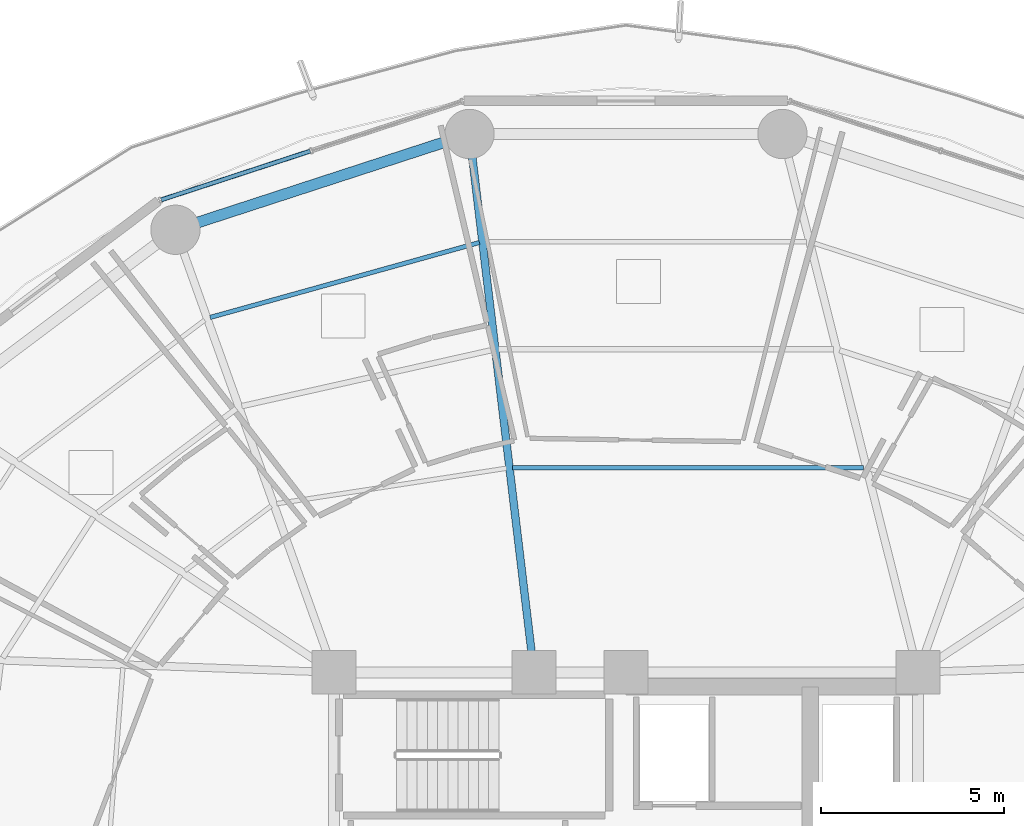
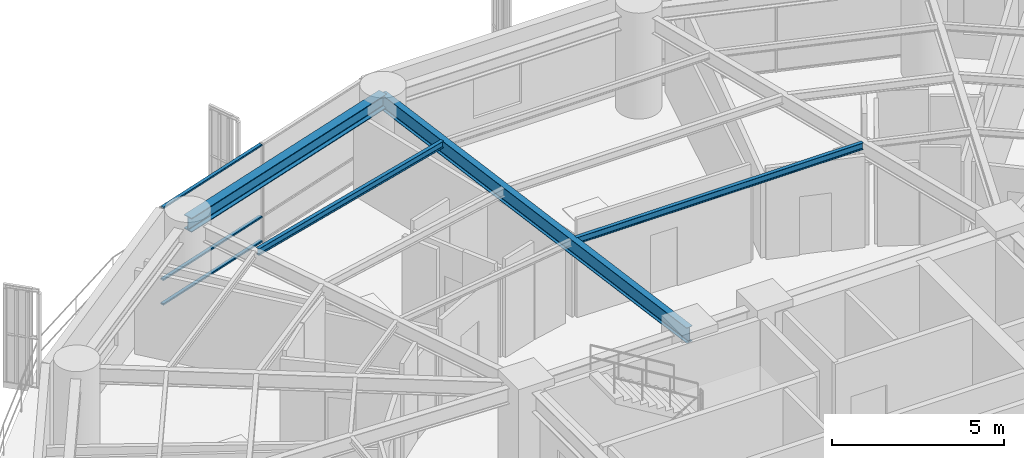
# One storey, part 21 of 38: 4 beams, 3 members, 1 element without a shape of its own.
"""IFC4 building model written with IfcOpenShell, lengths in metres."""

import ifcopenshell
import ifcopenshell.guid

model = None  # the IFC model being written
_history = None  # IfcOwnerHistory: only IFC2X3 demands one
_inside = {}  # id of a spatial element -> (the spatial element, [elements in it])
_under = {}  # id of a project, library or spatial element -> (it, [spatial elements below it])
_declared = {}  # id of a project -> (the project, [libraries it declares])
_typed = {}  # id of a type object -> (the type object, [elements of that type])
_made_of = {}  # id of a material, layer set ... -> (it, [elements and type objects made of it])


def new_model(schema):
    """Start an empty IFC model of exactly this schema.

    Asked for "IFC4X3", IfcOpenShell would pick the latest addendum, in which some entities
    have other attributes; the version numbers below select the first issue.
    IFC2X3 requires an IfcOwnerHistory on every rooted entity: one is made here for all.
    """
    global model, _history
    if schema == "IFC4X3":
        model = ifcopenshell.file(schema_version=(4, 3, 0, 0))
    else:
        model = ifcopenshell.file(schema=schema)
    _inside.clear()
    _under.clear()
    _declared.clear()
    _typed.clear()
    _made_of.clear()
    _history = None
    if model.schema == "IFC2X3":
        org = make("IfcOrganization", Name="unknown")
        user = make(
            "IfcPersonAndOrganization",
            ThePerson=make("IfcPerson", FamilyName="unknown"),
            TheOrganization=org,
        )
        app = make(
            "IfcApplication",
            ApplicationDeveloper=org,
            Version="unknown",
            ApplicationFullName="unknown",
            ApplicationIdentifier="unknown",
        )
        _history = make(
            "IfcOwnerHistory",
            OwningUser=user,
            OwningApplication=app,
            ChangeAction="ADDED",
            CreationDate=0,
        )
    return model


def make(cls, **values):
    """One entity of the class cls with the attributes given. An attribute that is None is left unset."""
    return model.create_entity(
        cls, **{name: value for name, value in values.items() if value is not None}
    )


def rooted(cls, **values):
    """An entity with a GlobalId (a new one), such as an element, a storey or a relation."""
    return make(cls, GlobalId=ifcopenshell.guid.new(), OwnerHistory=_history, **values)


def si_unit(unit_type, name, prefix=None):
    """IfcSIUnit, for example si_unit("LENGTHUNIT", "METRE", prefix="MILLI")."""
    return make("IfcSIUnit", UnitType=unit_type, Prefix=prefix, Name=name)


def assignment(units):
    """IfcUnitAssignment: the units of a project."""
    return None if units is None else make("IfcUnitAssignment", Units=units)


def point(xyz):
    """IfcCartesianPoint."""
    return None if xyz is None else make("IfcCartesianPoint", Coordinates=xyz)


def direction(xyz):
    """IfcDirection."""
    return None if xyz is None else make("IfcDirection", DirectionRatios=xyz)


def frame(location, z_axis=None, x_axis=None):
    """IfcAxis2Placement3D, a coordinate frame: its origin and axes. An axis left out is left unset."""
    return make(
        "IfcAxis2Placement3D",
        Location=point(location),
        Axis=direction(z_axis),
        RefDirection=direction(x_axis),
    )


def frame_2d(location, x_axis=None):
    """IfcAxis2Placement2D, a coordinate frame in the plane: its origin and x axis."""
    return make(
        "IfcAxis2Placement2D", Location=point(location), RefDirection=direction(x_axis)
    )


def origin():
    """The frame at (0, 0, 0) with its axes left unset."""
    return frame((0.0, 0.0, 0.0))


def origin_2d():
    """The frame at (0, 0) in the plane with its x axis left unset."""
    return frame_2d((0.0, 0.0))


def place(relative_to, where):
    """IfcLocalPlacement: puts the frame where relative to a parent placement (None: the world)."""
    return make(
        "IfcLocalPlacement", PlacementRelTo=relative_to, RelativePlacement=where
    )


def context(
    kind, dimensions, precision=None, world=None, true_north=None, identifier=None
):
    """IfcGeometricRepresentationContext, for example the 3D "Model" context."""
    return make(
        "IfcGeometricRepresentationContext",
        ContextIdentifier=identifier,
        ContextType=kind,
        CoordinateSpaceDimension=dimensions,
        Precision=precision,
        WorldCoordinateSystem=world,
        TrueNorth=true_north,
    )


def subcontext(parent, identifier, kind, view, scale=None):
    """IfcGeometricRepresentationSubContext, for example "Body" below "Model"."""
    return make(
        "IfcGeometricRepresentationSubContext",
        ContextIdentifier=identifier,
        ContextType=kind,
        ParentContext=parent,
        TargetScale=scale,
        TargetView=view,
    )


def project(units=None, contexts=None):
    """IfcProject with its units and contexts."""
    return rooted(
        "IfcProject",
        Name="project",
        RepresentationContexts=contexts,
        UnitsInContext=assignment(units),
    )


def spatial(cls, under=None, at=None, **own):
    """A site, building, storey or space (cls), placed at a placement, below another one or the project."""
    s = rooted(cls, ObjectPlacement=at, **own)
    if under is not None:
        _under.setdefault(under.id(), (under, []))[1].append(s)
    return s


def profile(cls, at=None, kind="AREA", **sizes):
    """A parametric profile (cls). Its sizes go by their IFC names, for example OverallWidth=200.0."""
    return make(cls, ProfileType=kind, Position=at, **sizes)


def hollow_rectangle(**sizes):
    """IfcRectangleHollowProfileDef."""
    return profile("IfcRectangleHollowProfileDef", **sizes)


def i_section(**sizes):
    """IfcIShapeProfileDef."""
    return profile("IfcIShapeProfileDef", **sizes)


def extrude(swept, where, along, depth):
    """IfcExtrudedAreaSolid: the profile swept, set in the frame where, extruded along a direction by depth."""
    return make(
        "IfcExtrudedAreaSolid",
        SweptArea=swept,
        Position=where,
        ExtrudedDirection=direction(along),
        Depth=depth,
    )


def shape(context_of_items, identifier, shape_type, items):
    """IfcShapeRepresentation: the items that make up one representation, for example the "Body"."""
    return make(
        "IfcShapeRepresentation",
        ContextOfItems=context_of_items,
        RepresentationIdentifier=identifier,
        RepresentationType=shape_type,
        Items=items,
    )


def material(Name=None, Category=None):
    """IfcMaterial."""
    return make("IfcMaterial", Name=Name, Category=Category)


def layer(
    of_material, thickness, ventilated=None, Name=None, Category=None, Priority=None
):
    """IfcMaterialLayer: one layer of a wall or slab, of a material (None: an air gap)."""
    return make(
        "IfcMaterialLayer",
        Material=of_material,
        LayerThickness=thickness,
        IsVentilated=ventilated,
        Name=Name,
        Category=Category,
        Priority=Priority,
    )


def layer_set(layers, Name=None):
    """IfcMaterialLayerSet."""
    return make("IfcMaterialLayerSet", MaterialLayers=layers, LayerSetName=Name)


def material_profile(
    of_material, cross_section, Name=None, Category=None, Priority=None
):
    """IfcMaterialProfile: a cross section and its material."""
    return make(
        "IfcMaterialProfile",
        Name=Name,
        Material=of_material,
        Profile=cross_section,
        Priority=Priority,
        Category=Category,
    )


def profile_set(profiles, Name=None, composite=None):
    """IfcMaterialProfileSet."""
    return make(
        "IfcMaterialProfileSet",
        Name=Name,
        MaterialProfiles=profiles,
        CompositeProfile=composite,
    )


def made_of(thing, what):
    """Note that an element or type object is made of a material, layer set ...; save() writes the relation."""
    if what is not None:
        _made_of.setdefault(what.id(), (what, []))[1].append(thing)
    return thing


def type_object(cls, material=None, **own):
    """A type object (cls), such as IfcWallType, which elements share."""
    return made_of(rooted(cls, **own), material)


def element(
    cls,
    number,
    at=None,
    inside=None,
    cuts=None,
    type_object=None,
    material=None,
    context=None,
    identifier="Body",
    shape_type=None,
    held_by="IfcProductDefinitionShape",
    body=None,
    shapes=None,
    **own,
):
    """One element of the class cls, such as IfcWall. Its Tag is "e" and its number.

    at: its placement. inside: the storey or other place that contains it. cuts: it is an
    opening in that element (IfcRelVoidsElement). A single representation is given by context,
    identifier, shape_type and body (its items); several are given by shapes. held_by: the class
    of the entity that holds the representations. save() writes the other relations.
    """
    e = rooted(cls, Tag="e%d" % number, ObjectPlacement=at, **own)
    if body is not None:
        shapes = [shape(context, identifier, shape_type, body)]
    if shapes is not None:
        e.Representation = make(held_by, Representations=shapes)
    if inside is not None:
        _inside.setdefault(inside.id(), (inside, []))[1].append(e)
    if cuts is not None:
        rooted(
            "IfcRelVoidsElement", RelatingBuildingElement=cuts, RelatedOpeningElement=e
        )
    if type_object is not None:
        _typed.setdefault(type_object.id(), (type_object, []))[1].append(e)
    return made_of(e, material)


def aggregate(whole, parts):
    """IfcRelAggregates: a whole, such as a stair, and the parts it consists of."""
    return rooted("IfcRelAggregates", RelatingObject=whole, RelatedObjects=parts)


def save(model, path):
    """Write the relations noted so far, then the file.

    IfcRelAggregates (storeys below a building ...), IfcRelContainedInSpatialStructure (elements
    in a storey), IfcRelDefinesByType, IfcRelAssociatesMaterial and IfcRelDeclares: one each for
    every whole, place, type object, material and project.
    """
    for whole, parts in _under.values():
        aggregate(whole, parts)
    for where, things in _inside.values():
        rooted(
            "IfcRelContainedInSpatialStructure",
            RelatedElements=things,
            RelatingStructure=where,
        )
    for kind, things in _typed.values():
        rooted("IfcRelDefinesByType", RelatedObjects=things, RelatingType=kind)
    for what, things in _made_of.values():
        rooted("IfcRelAssociatesMaterial", RelatedObjects=things, RelatingMaterial=what)
    for by, libraries in _declared.values():
        rooted("IfcRelDeclares", RelatingContext=by, RelatedDefinitions=libraries)
    model.write(path)


model = new_model("IFC4")

# Units and contexts
model_context = context("Model", 3, precision=1e-05, world=origin(), true_north=direction((0.0, 1.0)))
body_context = subcontext(model_context, "Body", "Model", "MODEL_VIEW")
ifc_project = project(units=[si_unit("LENGTHUNIT", "METRE"), si_unit("AREAUNIT", "SQUARE_METRE"), si_unit("VOLUMEUNIT", "CUBIC_METRE"), si_unit("PLANEANGLEUNIT", "RADIAN"), si_unit("MASSUNIT", "GRAM", prefix="KILO")], contexts=[model_context])

# Site, building, storey
site_placement = place(None, origin())
site = spatial("IfcSite", under=ifc_project, at=site_placement, CompositionType="ELEMENT")
building_placement = place(site_placement, origin())
building = spatial("IfcBuilding", under=site, at=building_placement, Name="Kelanora Arch Commons", CompositionType="ELEMENT")
storey_placement = place(building_placement, frame((0.0, 0.0, 106.35009765625)))
storey = spatial("IfcBuildingStorey", under=building, at=storey_placement, Name="L27", CompositionType="ELEMENT", Elevation=106.35009765625)

# Beams
ifc_material_1 = material(Name="Steel S355", Category="steel")
ifc_material_profile_1 = material_profile(ifc_material_1, i_section(OverallWidth=0.1201171875, OverallDepth=0.239990234375, WebThickness=0.006103515625, FlangeThickness=0.009765625, FilletRadius=0.014892578125, at=origin_2d()), Name="IPE240")
ifc_profile_set_1 = profile_set([ifc_material_profile_1], Name="Steel S355")
beam_type_1 = type_object("IfcBeamType", Name="BM-JST-02", PredefinedType="JOIST", material=ifc_profile_set_1)
beam_1_placement = place(storey_placement, frame((80.50341796875, 70.602783203125, 3.369873046875), z_axis=(-1.0, 0.0, 0.0), x_axis=(0.0, -1.0, 0.0)))
element("IfcBeam", 1, at=beam_1_placement, inside=storey, type_object=beam_type_1, Name="Secondary Chord Joist BJA-08 L27", PredefinedType="JOIST", context=body_context, shape_type="SweptSolid", body=[
    extrude(i_section(OverallWidth=0.1201171875, OverallDepth=0.239990234375, WebThickness=0.006103515625, FlangeThickness=0.009765625, FilletRadius=0.014892578125, at=origin_2d()), origin(), (0.0, 0.0, 1.0), 9.609375),
])
beam_2_placement = place(storey_placement, frame((69.985595703125, 76.77294921875, 3.369873046875), z_axis=(-0.963385760896, -0.268119144603, 0.0), x_axis=(0.268119144603, -0.963385760896, 0.0)))
element("IfcBeam", 2, at=beam_2_placement, inside=storey, type_object=beam_type_1, Name="Secondary Chord Joist BJC-10 L27", PredefinedType="JOIST", context=body_context, shape_type="SweptSolid", body=[
    extrude(i_section(OverallWidth=0.1201171875, OverallDepth=0.239990234375, WebThickness=0.006103515625, FlangeThickness=0.009765625, FilletRadius=0.014892578125, at=origin_2d()), origin(), (0.0, 0.0, 1.0), 7.656005859375),
])
ifc_material_profile_2 = material_profile(ifc_material_1, i_section(OverallWidth=0.2099609375, OverallDepth=0.550048828125, WebThickness=0.010986328125, FlangeThickness=0.01708984375, FilletRadius=0.02392578125, at=origin_2d()), Name="IPE550")
ifc_profile_set_2 = profile_set([ifc_material_profile_2], Name="Steel S355")
beam_type_2 = type_object("IfcBeamType", Name="BM-RAD-Z2", PredefinedType="BEAM", material=ifc_profile_set_2)
beam_3_placement = place(storey_placement, frame((71.47998046875, 65.0, 3.21484375), z_axis=(-0.118897572414, 0.992906524943, 0.0), x_axis=(-0.992906524943, -0.118897572414, 0.0)))
element("IfcBeam", 3, at=beam_3_placement, inside=storey, type_object=beam_type_2, Name="Radial Floor Girder BR-10 L27", PredefinedType="BEAM", context=body_context, shape_type="SweptSolid", body=[
    extrude(i_section(OverallWidth=0.2099609375, OverallDepth=0.550048828125, WebThickness=0.010986328125, FlangeThickness=0.01708984375, FilletRadius=0.02392578125, at=origin_2d()), origin(), (0.0, 0.0, 1.0), 14.849853515625),
])
ifc_material_profile_3 = material_profile(ifc_material_1, i_section(OverallWidth=0.300048828125, OverallDepth=0.5, WebThickness=0.014404296875, FlangeThickness=0.028076171875, FilletRadius=0.027099609375, at=origin_2d()), Name="HEB500")
ifc_profile_set_3 = profile_set([ifc_material_profile_3], Name="Steel S355")
beam_type_3 = type_object("IfcBeamType", Name="BM-SPN-Z2", PredefinedType="SPANDREL", material=ifc_profile_set_3)
beam_4_placement = place(storey_placement, frame((69.71435546875, 79.74462890625, 3.239990234375), z_axis=(-0.950856631974, -0.309631499418, 0.0), x_axis=(0.309631499418, -0.950856631974, 0.0)))
element("IfcBeam", 4, at=beam_4_placement, inside=storey, type_object=beam_type_3, Name="Perimeter Spandrel Beam BS-10 L27", PredefinedType="SPANDREL", context=body_context, shape_type="SweptSolid", body=[
    extrude(i_section(OverallWidth=0.300048828125, OverallDepth=0.5, WebThickness=0.014404296875, FlangeThickness=0.028076171875, FilletRadius=0.027099609375, at=origin_2d()), origin(), (0.0, 0.0, 1.0), 8.470703125),
])

# Curtain wall, members
ifc_material_2 = material(Name="Terracotta ceramic-fritted low-E glass and aluminium", Category="masonry")
ifc_layer = layer(ifc_material_2, 0.159912109375)
ifc_layer_set = layer_set([ifc_layer], Name="Terracotta ceramic-fritted low-E glass and aluminium")
curtain_wall_type = type_object("IfcCurtainWallType", Name="CW-SYS-01", PredefinedType="NOTDEFINED", material=ifc_layer_set)
curtain_wall_placement = place(storey_placement, origin())
curtain_wall = element("IfcCurtainWall", 5, at=curtain_wall_placement, inside=storey, type_object=curtain_wall_type, Name="Unitised Curtain Wall L27-B05", PredefinedType="NOTDEFINED")
ifc_material_3 = material(Name="Powder-coated aluminium terracotta", Category="masonry")
ifc_material_profile_4 = material_profile(ifc_material_3, hollow_rectangle(XDim=0.1201171875, YDim=0.06005859375, WallThickness=0.0048828125, InnerFilletRadius=0.0048828125, OuterFilletRadius=0.010009765625, at=origin_2d()), Name="CWT120x60")
ifc_profile_set_4 = profile_set([ifc_material_profile_4], Name="Powder-coated aluminium terracotta")
member_type = type_object("IfcMemberType", Name="CWT-STD", PredefinedType="USERDEFINED", material=ifc_profile_set_4)
member_1_placement = place(storey_placement, frame((65.348876953125, 79.275390625, 0.02978515625), z_axis=(-0.950466230394, -0.310827838008, 0.0), x_axis=(0.310827838008, -0.950466230394, 0.0)))
member_1 = element("IfcMember", 6, at=member_1_placement, type_object=member_type, Name="CW-01 transom 2.1", ObjectType="TRANSOM", PredefinedType="USERDEFINED", context=body_context, shape_type="SweptSolid", body=[
    extrude(hollow_rectangle(XDim=0.1201171875, YDim=0.06005859375, WallThickness=0.0048828125, InnerFilletRadius=0.0048828125, OuterFilletRadius=0.010009765625, at=origin_2d()), origin(), (0.0, 0.0, 1.0), 4.2900390625),
])
member_2_placement = place(storey_placement, frame((65.348876953125, 79.275390625, 0.89990234375), z_axis=(-0.950466230394, -0.310827838008, 0.0), x_axis=(0.310827838008, -0.950466230394, 0.0)))
member_2 = element("IfcMember", 7, at=member_2_placement, type_object=member_type, Name="CW-01 transom 2.2", ObjectType="TRANSOM", PredefinedType="USERDEFINED", context=body_context, shape_type="SweptSolid", body=[
    extrude(hollow_rectangle(XDim=0.1201171875, YDim=0.06005859375, WallThickness=0.0048828125, InnerFilletRadius=0.0048828125, OuterFilletRadius=0.010009765625, at=origin_2d()), origin(), (0.0, 0.0, 1.0), 4.2900390625),
])
member_3_placement = place(storey_placement, frame((65.348876953125, 79.275390625, 3.44482421875), z_axis=(-0.950466230394, -0.310827838008, 0.0), x_axis=(0.310827838008, -0.950466230394, 0.0)))
member_3 = element("IfcMember", 8, at=member_3_placement, type_object=member_type, Name="CW-01 transom 2.3", ObjectType="TRANSOM", PredefinedType="USERDEFINED", context=body_context, shape_type="SweptSolid", body=[
    extrude(hollow_rectangle(XDim=0.1201171875, YDim=0.06005859375, WallThickness=0.0048828125, InnerFilletRadius=0.0048828125, OuterFilletRadius=0.010009765625, at=origin_2d()), origin(), (0.0, 0.0, 1.0), 4.2900390625),
])
aggregate(curtain_wall, [member_1, member_2, member_3])

save(model, "model.ifc")
